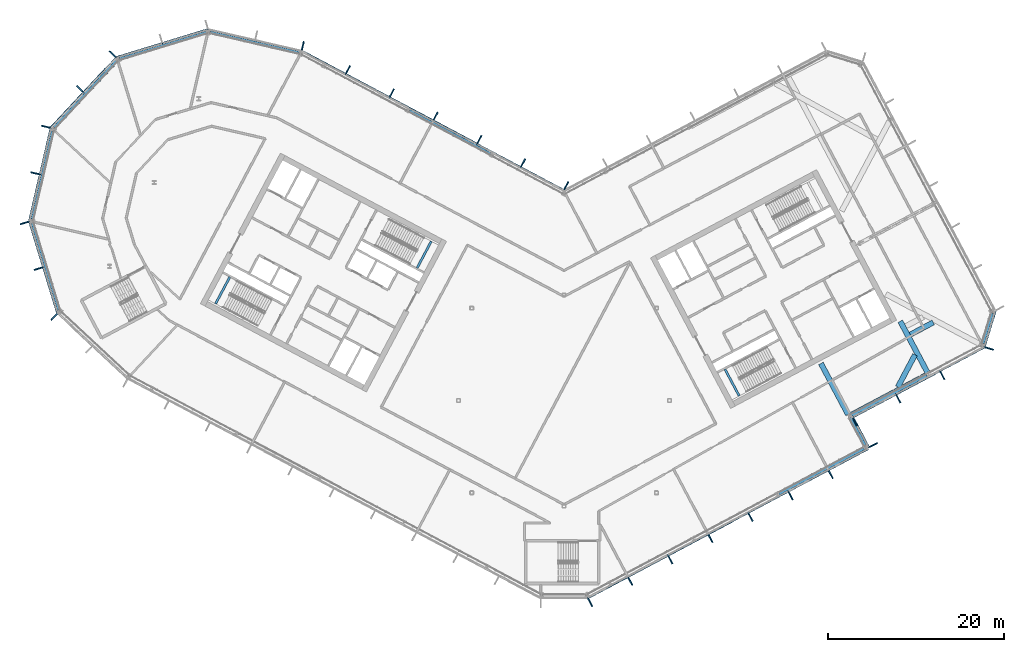
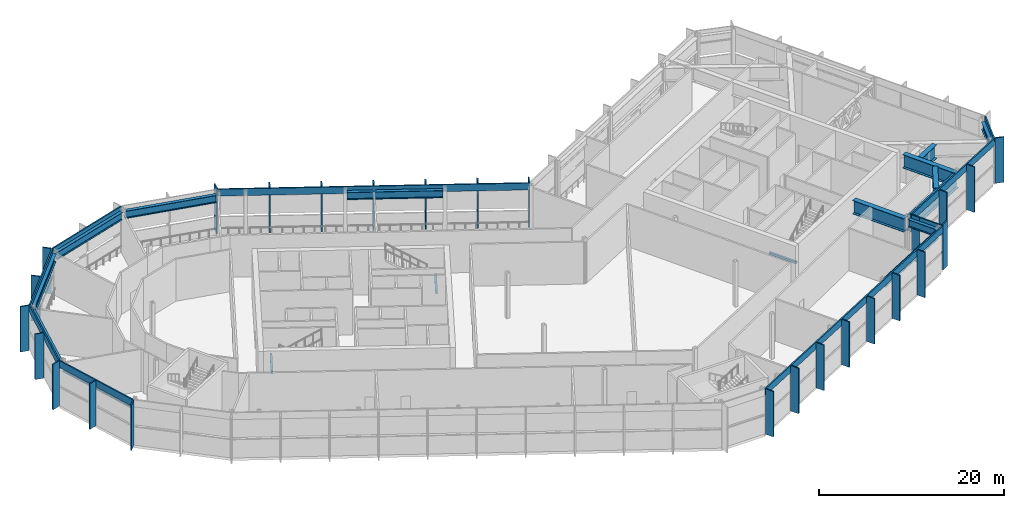
# One storey, part 9 of 33: 35 members, 17 beams, 11 elements without a shape of their own.
"""IFC4 building model written with IfcOpenShell, lengths in metres."""

from ifc_helpers import new_model, si_unit, direction, frame, origin, origin_2d, place, context, subcontext, project, spatial, rectangle, i_section, extrude, material, layer, layer_set, material_profile, profile_set, type_object, element, aggregate, save


model = new_model("IFC4")

# Units and contexts
model_context = context("Model", 3, precision=1e-05, world=origin(), true_north=direction((0.0, 1.0)))
body_context = subcontext(model_context, "Body", "Model", "MODEL_VIEW")
ifc_project = project(units=[si_unit("LENGTHUNIT", "METRE"), si_unit("AREAUNIT", "SQUARE_METRE"), si_unit("VOLUMEUNIT", "CUBIC_METRE"), si_unit("PLANEANGLEUNIT", "RADIAN"), si_unit("MASSUNIT", "GRAM", prefix="KILO")], contexts=[model_context])

# Site, building, storey
site_placement = place(None, origin())
site = spatial("IfcSite", under=ifc_project, at=site_placement, CompositionType="ELEMENT")
building_placement = place(site_placement, origin())
building = spatial("IfcBuilding", under=site, at=building_placement, Name="Cormorant Relay Tower", CompositionType="ELEMENT")
storey_placement = place(building_placement, frame((0.0, 0.0, 252.0)))
storey = spatial("IfcBuildingStorey", under=building, at=storey_placement, Name="L56", CompositionType="ELEMENT", Elevation=252.0)

# Curtain wall, members
ifc_material_1 = material(Name="Aluminium 6063-T6 anodised bronze", Category="aluminium")
ifc_layer = layer(ifc_material_1, 0.199951171875)
ifc_layer_set = layer_set([ifc_layer], Name="CW4 band louvre wall")
curtain_wall_type = type_object("IfcCurtainWallType", Name="CW4 band louvre wall", PredefinedType="NOTDEFINED", material=ifc_layer_set)
curtain_wall_1_placement = place(storey_placement, origin())
curtain_wall_1 = element("IfcCurtainWall", 1, at=curtain_wall_1_placement, inside=storey, type_object=curtain_wall_type, Name="CW4 curtain wall 2", PredefinedType="NOTDEFINED")
ifc_material_2 = material(Name="Aluminium 6063-T6 anodised bronze", Category="aluminium")
ifc_material_profile_1 = material_profile(ifc_material_2, rectangle(XDim=0.14990234375, YDim=1.0, at=origin_2d()), Name="AL 150x1000")
ifc_profile_set_1 = profile_set([ifc_material_profile_1], Name="Aluminium 6063-T6 anodised bronze")
member_type_1 = type_object("IfcMemberType", Name="CW4 bronze fin mullion 150 x 1000", PredefinedType="MULLION", material=ifc_profile_set_1)
member_1_placement = place(storey_placement, frame((2.9775390625, -22.99365234375, 0.0), z_axis=(0.0, 0.0, 1.0), x_axis=(0.882947592859, 0.469471562786, 0.0)))
member_1 = element("IfcMember", 2, at=member_1_placement, type_object=member_type_1, Name="CW4 fin 2.1", PredefinedType="MULLION", context=body_context, shape_type="SweptSolid", body=[
    extrude(rectangle(XDim=0.14990234375, YDim=1.0, at=origin_2d()), origin(), (0.0, 0.0, 1.0), 6.0),
])
member_2_placement = place(storey_placement, frame((7.539306640625, -20.568115234375, 0.0), z_axis=(0.0, 0.0, 1.0), x_axis=(0.882947592859, 0.469471562786, 0.0)))
member_2 = element("IfcMember", 3, at=member_2_placement, type_object=member_type_1, Name="CW4 fin 2.2", PredefinedType="MULLION", context=body_context, shape_type="SweptSolid", body=[
    extrude(rectangle(XDim=0.14990234375, YDim=1.0, at=origin_2d()), origin(), (0.0, 0.0, 1.0), 6.0),
])
member_3_placement = place(storey_placement, frame((12.10107421875, -18.142578125, 0.0), z_axis=(0.0, 0.0, 1.0), x_axis=(0.882947592859, 0.469471562786, 0.0)))
member_3 = element("IfcMember", 4, at=member_3_placement, type_object=member_type_1, Name="CW4 fin 2.3", PredefinedType="MULLION", context=body_context, shape_type="SweptSolid", body=[
    extrude(rectangle(XDim=0.14990234375, YDim=1.0, at=origin_2d()), origin(), (0.0, 0.0, 1.0), 6.0),
])
member_4_placement = place(storey_placement, frame((16.662841796875, -15.717041015625, 0.0), z_axis=(0.0, 0.0, 1.0), x_axis=(0.882947592859, 0.469471562786, 0.0)))
member_4 = element("IfcMember", 5, at=member_4_placement, type_object=member_type_1, Name="CW4 fin 2.4", PredefinedType="MULLION", context=body_context, shape_type="SweptSolid", body=[
    extrude(rectangle(XDim=0.14990234375, YDim=1.0, at=origin_2d()), origin(), (0.0, 0.0, 1.0), 6.0),
])
member_5_placement = place(storey_placement, frame((21.224609375, -13.29150390625, 0.0), z_axis=(0.0, 0.0, 1.0), x_axis=(0.882947592859, 0.469471562786, 0.0)))
member_5 = element("IfcMember", 6, at=member_5_placement, type_object=member_type_1, Name="CW4 fin 2.5", PredefinedType="MULLION", context=body_context, shape_type="SweptSolid", body=[
    extrude(rectangle(XDim=0.14990234375, YDim=1.0, at=origin_2d()), origin(), (0.0, 0.0, 1.0), 6.0),
])
member_6_placement = place(storey_placement, frame((25.78662109375, -10.865966796875, 0.0), z_axis=(0.0, 0.0, 1.0), x_axis=(0.882947592859, 0.469471562786, 0.0)))
member_6 = element("IfcMember", 7, at=member_6_placement, type_object=member_type_1, Name="CW4 fin 2.6", PredefinedType="MULLION", context=body_context, shape_type="SweptSolid", body=[
    extrude(rectangle(XDim=0.14990234375, YDim=1.0, at=origin_2d()), origin(), (0.0, 0.0, 1.0), 6.0),
])
member_7_placement = place(storey_placement, frame((30.348388671875, -8.440185546875, 0.0), z_axis=(0.0, 0.0, 1.0), x_axis=(0.882947592859, 0.469471562786, 0.0)))
member_7 = element("IfcMember", 8, at=member_7_placement, type_object=member_type_1, Name="CW4 fin 2.7", PredefinedType="MULLION", context=body_context, shape_type="SweptSolid", body=[
    extrude(rectangle(XDim=0.14990234375, YDim=1.0, at=origin_2d()), origin(), (0.0, 0.0, 1.0), 6.0),
])

# Curtain wall, member
curtain_wall_2_placement = place(storey_placement, origin())
curtain_wall_2 = element("IfcCurtainWall", 9, at=curtain_wall_2_placement, inside=storey, type_object=curtain_wall_type, Name="CW4 curtain wall 3", PredefinedType="NOTDEFINED")
member_8_placement = place(storey_placement, frame((35.199462890625, -5.068115234375, 0.0), z_axis=(0.0, 0.0, 1.0), x_axis=(-0.469471562786, 0.882947592859, 0.0)))
member_8 = element("IfcMember", 10, at=member_8_placement, type_object=member_type_1, Name="CW4 fin 3.1", PredefinedType="MULLION", context=body_context, shape_type="SweptSolid", body=[
    extrude(rectangle(XDim=0.14990234375, YDim=1.0, at=origin_2d()), origin(), (0.0, 0.0, 1.0), 6.0),
])

# Curtain wall, members
curtain_wall_3_placement = place(storey_placement, origin())
curtain_wall_3 = element("IfcCurtainWall", 11, at=curtain_wall_3_placement, inside=storey, type_object=curtain_wall_type, Name="CW4 curtain wall 4", PredefinedType="NOTDEFINED")
member_9_placement = place(storey_placement, frame((33.098388671875, -2.44775390625, 0.0), z_axis=(0.0, 0.0, 1.0), x_axis=(0.882947592859, 0.469471562786, 0.0)))
member_9 = element("IfcMember", 12, at=member_9_placement, type_object=member_type_1, Name="CW4 fin 4.1", PredefinedType="MULLION", context=body_context, shape_type="SweptSolid", body=[
    extrude(rectangle(XDim=0.14990234375, YDim=1.0, at=origin_2d()), origin(), (0.0, 0.0, 1.0), 6.0),
])
member_10_placement = place(storey_placement, frame((38.035400390625, 0.177490234375, 0.0), z_axis=(0.0, 0.0, 1.0), x_axis=(0.882947592859, 0.469471562786, 0.0)))
member_10 = element("IfcMember", 13, at=member_10_placement, type_object=member_type_1, Name="CW4 fin 4.2", PredefinedType="MULLION", context=body_context, shape_type="SweptSolid", body=[
    extrude(rectangle(XDim=0.14990234375, YDim=1.0, at=origin_2d()), origin(), (0.0, 0.0, 1.0), 6.0),
])
member_11_placement = place(storey_placement, frame((43.038818359375, 2.837646484375, 0.0), z_axis=(0.0, 0.0, 1.0), x_axis=(0.882947592859, 0.469471562786, 0.0)))
member_11 = element("IfcMember", 14, at=member_11_placement, type_object=member_type_1, Name="CW4 fin 4.3", PredefinedType="MULLION", context=body_context, shape_type="SweptSolid", body=[
    extrude(rectangle(XDim=0.14990234375, YDim=1.0, at=origin_2d()), origin(), (0.0, 0.0, 1.0), 6.0),
])

# Curtain wall, member
curtain_wall_4_placement = place(storey_placement, origin())
curtain_wall_4 = element("IfcCurtainWall", 15, at=curtain_wall_4_placement, inside=storey, type_object=curtain_wall_type, Name="CW4 curtain wall 5", PredefinedType="NOTDEFINED")
member_12_placement = place(storey_placement, frame((48.383056640625, 5.91162109375, 0.0), z_axis=(0.0, 0.0, 1.0), x_axis=(0.292371704723, 0.956304755963, 0.0)))
member_12 = element("IfcMember", 16, at=member_12_placement, type_object=member_type_1, Name="CW4 fin 5.1", PredefinedType="MULLION", context=body_context, shape_type="SweptSolid", body=[
    extrude(rectangle(XDim=0.14990234375, YDim=1.0, at=origin_2d()), origin(), (0.0, 0.0, 1.0), 6.0),
])

# Curtain wall, members
curtain_wall_5_placement = place(storey_placement, origin())
curtain_wall_5 = element("IfcCurtainWall", 17, at=curtain_wall_5_placement, inside=storey, type_object=curtain_wall_type, Name="CW4 curtain wall 9", PredefinedType="NOTDEFINED")
member_13_placement = place(storey_placement, frame((0.262451171875, 24.437255859375, 0.0), z_axis=(0.0, 0.0, 1.0), x_axis=(-0.882947592859, 0.469471562786, 0.0)))
member_13 = element("IfcMember", 18, at=member_13_placement, type_object=member_type_1, Name="CW4 fin 9.1", PredefinedType="MULLION", context=body_context, shape_type="SweptSolid", body=[
    extrude(rectangle(XDim=0.14990234375, YDim=1.0, at=origin_2d()), origin(), (0.0, 0.0, 1.0), 6.0),
])
member_14_placement = place(storey_placement, frame((-4.650390625, 27.04931640625, 0.0), z_axis=(0.0, 0.0, 1.0), x_axis=(-0.882947592859, 0.469471562786, 0.0)))
member_14 = element("IfcMember", 19, at=member_14_placement, type_object=member_type_1, Name="CW4 fin 9.2", PredefinedType="MULLION", context=body_context, shape_type="SweptSolid", body=[
    extrude(rectangle(XDim=0.14990234375, YDim=1.0, at=origin_2d()), origin(), (0.0, 0.0, 1.0), 6.0),
])
member_15_placement = place(storey_placement, frame((-9.62939453125, 29.69677734375, 0.0), z_axis=(0.0, 0.0, 1.0), x_axis=(-0.882947592859, 0.469471562786, 0.0)))
member_15 = element("IfcMember", 20, at=member_15_placement, type_object=member_type_1, Name="CW4 fin 9.3", PredefinedType="MULLION", context=body_context, shape_type="SweptSolid", body=[
    extrude(rectangle(XDim=0.14990234375, YDim=1.0, at=origin_2d()), origin(), (0.0, 0.0, 1.0), 6.0),
])
member_16_placement = place(storey_placement, frame((-14.608154296875, 32.343994140625, 0.0), z_axis=(0.0, 0.0, 1.0), x_axis=(-0.882947592859, 0.469471562786, 0.0)))
member_16 = element("IfcMember", 21, at=member_16_placement, type_object=member_type_1, Name="CW4 fin 9.4", PredefinedType="MULLION", context=body_context, shape_type="SweptSolid", body=[
    extrude(rectangle(XDim=0.14990234375, YDim=1.0, at=origin_2d()), origin(), (0.0, 0.0, 1.0), 6.0),
])
member_17_placement = place(storey_placement, frame((-19.587158203125, 34.991455078125, 0.0), z_axis=(0.0, 0.0, 1.0), x_axis=(-0.882947592859, 0.469471562786, 0.0)))
member_17 = element("IfcMember", 22, at=member_17_placement, type_object=member_type_1, Name="CW4 fin 9.5", PredefinedType="MULLION", context=body_context, shape_type="SweptSolid", body=[
    extrude(rectangle(XDim=0.14990234375, YDim=1.0, at=origin_2d()), origin(), (0.0, 0.0, 1.0), 6.0),
])
member_18_placement = place(storey_placement, frame((-24.566162109375, 37.638916015625, 0.0), z_axis=(0.0, 0.0, 1.0), x_axis=(-0.882947592859, 0.469471562786, 0.0)))
member_18 = element("IfcMember", 23, at=member_18_placement, type_object=member_type_1, Name="CW4 fin 9.6", PredefinedType="MULLION", context=body_context, shape_type="SweptSolid", body=[
    extrude(rectangle(XDim=0.14990234375, YDim=1.0, at=origin_2d()), origin(), (0.0, 0.0, 1.0), 6.0),
])

# Curtain wall, member
curtain_wall_6_placement = place(storey_placement, origin())
curtain_wall_6 = element("IfcCurtainWall", 24, at=curtain_wall_6_placement, inside=storey, type_object=curtain_wall_type, Name="CW4 curtain wall 10", PredefinedType="NOTDEFINED")
member_19_placement = place(storey_placement, frame((-29.71630859375, 40.35009765625, 0.0), z_axis=(0.0, 0.0, 1.0), x_axis=(-0.974370064785, 0.224951054344, 0.0)))
member_19 = element("IfcMember", 25, at=member_19_placement, type_object=member_type_1, Name="CW4 fin 10.1", PredefinedType="MULLION", context=body_context, shape_type="SweptSolid", body=[
    extrude(rectangle(XDim=0.14990234375, YDim=1.0, at=origin_2d()), origin(), (0.0, 0.0, 1.0), 6.0),
])
aggregate(curtain_wall_6, [member_19])

# Curtain wall, members
curtain_wall_7_placement = place(storey_placement, origin())
curtain_wall_7 = element("IfcCurtainWall", 26, at=curtain_wall_7_placement, inside=storey, type_object=curtain_wall_type, Name="CW4 curtain wall 12", PredefinedType="NOTDEFINED")
member_20_placement = place(storey_placement, frame((-51.372802734375, 39.41259765625, 0.0), z_axis=(0.0, 0.0, 1.0), x_axis=(-0.681998360062, -0.731353701619, 0.0)))
member_20 = element("IfcMember", 27, at=member_20_placement, type_object=member_type_1, Name="CW4 fin 12.1", PredefinedType="MULLION", context=body_context, shape_type="SweptSolid", body=[
    extrude(rectangle(XDim=0.14990234375, YDim=1.0, at=origin_2d()), origin(), (0.0, 0.0, 1.0), 6.0),
])
member_21_placement = place(storey_placement, frame((-55.07958984375, 35.4375, 0.0), z_axis=(0.0, 0.0, 1.0), x_axis=(-0.681998360062, -0.731353701619, 0.0)))
member_21 = element("IfcMember", 28, at=member_21_placement, type_object=member_type_1, Name="CW4 fin 12.2", PredefinedType="MULLION", context=body_context, shape_type="SweptSolid", body=[
    extrude(rectangle(XDim=0.14990234375, YDim=1.0, at=origin_2d()), origin(), (0.0, 0.0, 1.0), 6.0),
])

curtain_wall_8_placement = place(storey_placement, origin())
curtain_wall_8 = element("IfcCurtainWall", 29, at=curtain_wall_8_placement, inside=storey, type_object=curtain_wall_type, Name="CW4 curtain wall 13", PredefinedType="NOTDEFINED")
member_22_placement = place(storey_placement, frame((-58.95654296875, 31.142578125, 0.0), z_axis=(0.0, 0.0, 1.0), x_axis=(-0.224951054344, -0.974370064785, 0.0)))
member_22 = element("IfcMember", 30, at=member_22_placement, type_object=member_type_1, Name="CW4 fin 13.1", PredefinedType="MULLION", context=body_context, shape_type="SweptSolid", body=[
    extrude(rectangle(XDim=0.14990234375, YDim=1.0, at=origin_2d()), origin(), (0.0, 0.0, 1.0), 6.0),
])
member_23_placement = place(storey_placement, frame((-60.17919921875, 25.8466796875, 0.0), z_axis=(0.0, 0.0, 1.0), x_axis=(-0.224951054344, -0.974370064785, 0.0)))
member_23 = element("IfcMember", 31, at=member_23_placement, type_object=member_type_1, Name="CW4 fin 13.2", PredefinedType="MULLION", context=body_context, shape_type="SweptSolid", body=[
    extrude(rectangle(XDim=0.14990234375, YDim=1.0, at=origin_2d()), origin(), (0.0, 0.0, 1.0), 6.0),
])

curtain_wall_9_placement = place(storey_placement, origin())
curtain_wall_9 = element("IfcCurtainWall", 32, at=curtain_wall_9_placement, inside=storey, type_object=curtain_wall_type, Name="CW4 curtain wall 14", PredefinedType="NOTDEFINED")
member_24_placement = place(storey_placement, frame((-61.389404296875, 20.188720703125, 0.0), z_axis=(0.0, 0.0, 1.0), x_axis=(0.292371704723, -0.956304755963, 0.0)))
member_24 = element("IfcMember", 33, at=member_24_placement, type_object=member_type_1, Name="CW4 fin 14.1", PredefinedType="MULLION", context=body_context, shape_type="SweptSolid", body=[
    extrude(rectangle(XDim=0.14990234375, YDim=1.0, at=origin_2d()), origin(), (0.0, 0.0, 1.0), 6.0),
])
member_25_placement = place(storey_placement, frame((-59.80029296875, 14.990966796875, 0.0), z_axis=(0.0, 0.0, 1.0), x_axis=(0.292371704723, -0.956304755963, 0.0)))
member_25 = element("IfcMember", 34, at=member_25_placement, type_object=member_type_1, Name="CW4 fin 14.2", PredefinedType="MULLION", context=body_context, shape_type="SweptSolid", body=[
    extrude(rectangle(XDim=0.14990234375, YDim=1.0, at=origin_2d()), origin(), (0.0, 0.0, 1.0), 6.0),
])

# Curtain wall, member
curtain_wall_10_placement = place(storey_placement, origin())
curtain_wall_10 = element("IfcCurtainWall", 35, at=curtain_wall_10_placement, inside=storey, type_object=curtain_wall_type, Name="CW4 curtain wall 15", PredefinedType="NOTDEFINED")
member_26_placement = place(storey_placement, frame((-58.01904296875, 9.486083984375, 0.0), z_axis=(0.0, 0.0, 1.0), x_axis=(0.731353701619, -0.681998360062, 0.0)))
member_26 = element("IfcMember", 36, at=member_26_placement, type_object=member_type_1, Name="CW4 fin 15.1", PredefinedType="MULLION", context=body_context, shape_type="SweptSolid", body=[
    extrude(rectangle(XDim=0.14990234375, YDim=1.0, at=origin_2d()), origin(), (0.0, 0.0, 1.0), 6.0),
])
aggregate(curtain_wall_10, [member_26])

# Member
ifc_material_3 = material(Name="Aluminium 6063-T6 anodised bronze", Category="aluminium")
ifc_material_profile_2 = material_profile(ifc_material_3, rectangle(XDim=0.159912109375, YDim=0.89990234375, at=origin_2d()), Name="AL 160x900")
ifc_profile_set_2 = profile_set([ifc_material_profile_2], Name="Aluminium 6063-T6 anodised bronze")
member_type_2 = type_object("IfcMemberType", Name="CW4 bronze transom 160 x 900", PredefinedType="USERDEFINED", material=ifc_profile_set_2)
member_27_placement = place(storey_placement, frame((2.705078125, -22.4814453125, 5.550048828125), z_axis=(0.882948899141, 0.469469106018, 0.0), x_axis=(-0.469469106018, 0.882948899141, 0.0)))
member_27 = element("IfcMember", 37, at=member_27_placement, type_object=member_type_2, Name="CW4 transom 2", ObjectType="TRANSOM", PredefinedType="USERDEFINED", context=body_context, shape_type="SweptSolid", body=[
    extrude(rectangle(XDim=0.159912109375, YDim=0.89990234375, at=origin_2d()), origin(), (0.0, 0.0, 1.0), 36.165771484375),
])

aggregate(curtain_wall_1, [member_1, member_2, member_3, member_4, member_5, member_6, member_7, member_27])

member_28_placement = place(storey_placement, frame((34.6875, -5.34033203125, 5.550048828125), z_axis=(-0.469485426614, 0.882940221191, 0.0), x_axis=(-0.882940221191, -0.469485426614, 0.0)))
member_28 = element("IfcMember", 38, at=member_28_placement, type_object=member_type_2, Name="CW4 transom 3", ObjectType="TRANSOM", PredefinedType="USERDEFINED", context=body_context, shape_type="SweptSolid", body=[
    extrude(rectangle(XDim=0.159912109375, YDim=0.89990234375, at=origin_2d()), origin(), (0.0, 0.0, 1.0), 4.0),
])

aggregate(curtain_wall_2, [member_8, member_28])

member_29_placement = place(storey_placement, frame((32.760009765625, -1.970947265625, 5.550048828125), z_axis=(0.882941803911, 0.469482450052, 0.0), x_axis=(-0.469482450052, 0.882941803911, 0.0)))
member_29 = element("IfcMember", 39, at=member_29_placement, type_object=member_type_2, Name="CW4 transom 4", ObjectType="TRANSOM", PredefinedType="USERDEFINED", context=body_context, shape_type="SweptSolid", body=[
    extrude(rectangle(XDim=0.159912109375, YDim=0.89990234375, at=origin_2d()), origin(), (0.0, 0.0, 1.0), 17.0),
])

aggregate(curtain_wall_3, [member_9, member_10, member_11, member_29])

member_30_placement = place(storey_placement, frame((47.828369140625, 6.0810546875, 5.550048828125), z_axis=(0.292391046905, 0.95629884225, 0.0), x_axis=(-0.95629884225, 0.292391046905, 0.0)))
member_30 = element("IfcMember", 40, at=member_30_placement, type_object=member_type_2, Name="CW4 transom 5", ObjectType="TRANSOM", PredefinedType="USERDEFINED", context=body_context, shape_type="SweptSolid", body=[
    extrude(rectangle(XDim=0.159912109375, YDim=0.89990234375, at=origin_2d()), origin(), (0.0, 0.0, 1.0), 4.242431640625),
])

aggregate(curtain_wall_4, [member_12, member_30])

member_31_placement = place(storey_placement, frame((0.056396484375, 23.889892578125, 5.550048828125), z_axis=(-0.882946280328, 0.46947403129, 0.0), x_axis=(-0.46947403129, -0.882946280328, 0.0)))
member_31 = element("IfcMember", 41, at=member_31_placement, type_object=member_type_2, Name="CW4 transom 9", ObjectType="TRANSOM", PredefinedType="USERDEFINED", context=body_context, shape_type="SweptSolid", body=[
    extrude(rectangle(XDim=0.159912109375, YDim=0.89990234375, at=origin_2d()), origin(), (0.0, 0.0, 1.0), 33.834228515625),
])

aggregate(curtain_wall_5, [member_13, member_14, member_15, member_16, member_17, member_18, member_31])

# Curtain wall, member
curtain_wall_11_placement = place(storey_placement, origin())
curtain_wall_11 = element("IfcCurtainWall", 42, at=curtain_wall_11_placement, inside=storey, type_object=curtain_wall_type, Name="CW4 curtain wall 11", PredefinedType="NOTDEFINED")
member_32_placement = place(storey_placement, frame((-40.50048828125, 42.228271484375, 5.550048828125), z_axis=(-0.956304833932, -0.292371449698, 0.0), x_axis=(0.292371449698, -0.956304833932, 0.0)))
member_32 = element("IfcMember", 43, at=member_32_placement, type_object=member_type_2, Name="CW4 transom 11", ObjectType="TRANSOM", PredefinedType="USERDEFINED", context=body_context, shape_type="SweptSolid", body=[
    extrude(rectangle(XDim=0.159912109375, YDim=0.89990234375, at=origin_2d()), origin(), (0.0, 0.0, 1.0), 10.87060546875),
])
aggregate(curtain_wall_11, [member_32])

# Member
member_33_placement = place(storey_placement, frame((-50.94873046875, 39.01708984375, 5.550048828125), z_axis=(-0.681993299437, -0.731358420696, 0.0), x_axis=(0.731358420696, -0.681993299437, 0.0)))
member_33 = element("IfcMember", 44, at=member_33_placement, type_object=member_type_2, Name="CW4 transom 12", ObjectType="TRANSOM", PredefinedType="USERDEFINED", context=body_context, shape_type="SweptSolid", body=[
    extrude(rectangle(XDim=0.159912109375, YDim=0.89990234375, at=origin_2d()), origin(), (0.0, 0.0, 1.0), 10.870361328125),
])

aggregate(curtain_wall_7, [member_20, member_21, member_33])

member_34_placement = place(storey_placement, frame((-58.3916015625, 31.01220703125, 5.550048828125), z_axis=(-0.22495136131, -0.974369993916, 0.0), x_axis=(0.974369993916, -0.22495136131, 0.0)))
member_34 = element("IfcMember", 45, at=member_34_placement, type_object=member_type_2, Name="CW4 transom 13", ObjectType="TRANSOM", PredefinedType="USERDEFINED", context=body_context, shape_type="SweptSolid", body=[
    extrude(rectangle(XDim=0.159912109375, YDim=0.89990234375, at=origin_2d()), origin(), (0.0, 0.0, 1.0), 10.870361328125),
])

aggregate(curtain_wall_8, [member_22, member_23, member_34])

member_35_placement = place(storey_placement, frame((-60.834716796875, 20.358154296875, 5.550048828125), z_axis=(0.292377729282, -0.95630291405, 0.0), x_axis=(0.95630291405, 0.292377729282, 0.0)))
member_35 = element("IfcMember", 46, at=member_35_placement, type_object=member_type_2, Name="CW4 transom 14", ObjectType="TRANSOM", PredefinedType="USERDEFINED", context=body_context, shape_type="SweptSolid", body=[
    extrude(rectangle(XDim=0.159912109375, YDim=0.89990234375, at=origin_2d()), origin(), (0.0, 0.0, 1.0), 10.870361328125),
])

aggregate(curtain_wall_9, [member_24, member_25, member_35])

# Beams
ifc_material_4 = material(Name="Steel ASTM A992 (Fy 345 MPa)", Category="steel")
ifc_material_profile_3 = material_profile(ifc_material_4, i_section(OverallWidth=0.4013671875, OverallDepth=0.990478515625, WebThickness=0.0166015625, FlangeThickness=0.031005859375, FilletRadius=0.030029296875, at=origin_2d()), Name="W1000x320")
ifc_profile_set_3 = profile_set([ifc_material_profile_3], Name="Steel ASTM A992 (Fy 345 MPa)")
beam_type_1 = type_object("IfcBeamType", Name="Spandrel W1000x320", PredefinedType="SPANDREL", material=ifc_profile_set_3)
beam_1_placement = place(storey_placement, frame((24.423583984375, -10.5703125, 5.0546875), z_axis=(0.882952735253, 0.469461891221, 0.0), x_axis=(-0.469461891221, 0.882952735253, 0.0)))
element("IfcBeam", 47, at=beam_1_placement, inside=storey, type_object=beam_type_1, Name="Spandrel beam L56-002", PredefinedType="SPANDREL", context=body_context, shape_type="SweptSolid", body=[
    extrude(i_section(OverallWidth=0.4013671875, OverallDepth=0.990478515625, WebThickness=0.0166015625, FlangeThickness=0.031005859375, FilletRadius=0.030029296875, at=origin_2d()), origin(), (0.0, 0.0, 1.0), 10.96142578125),
])
beam_2_placement = place(storey_placement, frame((34.20458984375, -5.115478515625, 5.0546875), z_axis=(-0.469423552529, 0.882973118691, 0.0), x_axis=(-0.882973118691, -0.469423552529, 0.0)))
element("IfcBeam", 48, at=beam_2_placement, inside=storey, type_object=beam_type_1, Name="Spandrel beam L56-003", PredefinedType="SPANDREL", context=body_context, shape_type="SweptSolid", body=[
    extrude(i_section(OverallWidth=0.4013671875, OverallDepth=0.990478515625, WebThickness=0.0166015625, FlangeThickness=0.031005859375, FilletRadius=0.030029296875, at=origin_2d()), origin(), (0.0, 0.0, 1.0), 3.56982421875),
])
beam_3_placement = place(storey_placement, frame((47.618896484375, 6.4921875, 5.0546875), z_axis=(0.292349563537, 0.956311524923, 0.0), x_axis=(-0.956311524923, 0.292349563537, 0.0)))
element("IfcBeam", 49, at=beam_3_placement, inside=storey, type_object=beam_type_1, Name="Spandrel beam L56-004", PredefinedType="SPANDREL", context=body_context, shape_type="SweptSolid", body=[
    extrude(i_section(OverallWidth=0.4013671875, OverallDepth=0.990478515625, WebThickness=0.0166015625, FlangeThickness=0.031005859375, FilletRadius=0.030029296875, at=origin_2d()), origin(), (0.0, 0.0, 1.0), 3.59765625),
])
beam_4_placement = place(storey_placement, frame((-8.426025390625, 28.036865234375, 5.0546875), z_axis=(-0.882949648898, 0.469467695918, 0.0), x_axis=(-0.469467695918, -0.882949648898, 0.0)))
element("IfcBeam", 50, at=beam_4_placement, inside=storey, type_object=beam_type_1, Name="Spandrel beam L56-008", PredefinedType="SPANDREL", context=body_context, shape_type="SweptSolid", body=[
    extrude(i_section(OverallWidth=0.4013671875, OverallDepth=0.990478515625, WebThickness=0.0166015625, FlangeThickness=0.031005859375, FilletRadius=0.030029296875, at=origin_2d()), origin(), (0.0, 0.0, 1.0), 10.39599609375),
])
beam_5_placement = place(storey_placement, frame((-30.1533203125, 39.526611328125, 5.0546875), z_axis=(-0.97436619016, 0.22496783653, 0.0), x_axis=(-0.22496783653, -0.97436619016, 0.0)))
element("IfcBeam", 51, at=beam_5_placement, inside=storey, type_object=beam_type_1, Name="Spandrel beam L56-009", PredefinedType="SPANDREL", context=body_context, shape_type="SweptSolid", body=[
    extrude(i_section(OverallWidth=0.4013671875, OverallDepth=0.990478515625, WebThickness=0.0166015625, FlangeThickness=0.031005859375, FilletRadius=0.030029296875, at=origin_2d()), origin(), (0.0, 0.0, 1.0), 10.369384765625),
])
beam_6_placement = place(storey_placement, frame((-40.680419921875, 41.837890625, 5.0546875), z_axis=(-0.956303094801, -0.292377138084, 0.0), x_axis=(0.292377138084, -0.956303094801, 0.0)))
element("IfcBeam", 52, at=beam_6_placement, inside=storey, type_object=beam_type_1, Name="Spandrel beam L56-010", PredefinedType="SPANDREL", context=body_context, shape_type="SweptSolid", body=[
    extrude(i_section(OverallWidth=0.4013671875, OverallDepth=0.990478515625, WebThickness=0.0166015625, FlangeThickness=0.031005859375, FilletRadius=0.030029296875, at=origin_2d()), origin(), (0.0, 0.0, 1.0), 10.32421875),
])
beam_7_placement = place(storey_placement, frame((-50.90966796875, 38.5888671875, 5.0546875), z_axis=(-0.681996285296, -0.731355636365, 0.0), x_axis=(0.731355636365, -0.681996285296, 0.0)))
element("IfcBeam", 53, at=beam_7_placement, inside=storey, type_object=beam_type_1, Name="Spandrel beam L56-011", PredefinedType="SPANDREL", context=body_context, shape_type="SweptSolid", body=[
    extrude(i_section(OverallWidth=0.4013671875, OverallDepth=0.990478515625, WebThickness=0.0166015625, FlangeThickness=0.031005859375, FilletRadius=0.030029296875, at=origin_2d()), origin(), (0.0, 0.0, 1.0), 10.32275390625),
])
beam_8_placement = place(storey_placement, frame((-58.143310546875, 30.66162109375, 5.0546875), z_axis=(-0.224957947919, -0.974368473252, 0.0), x_axis=(0.974368473252, -0.224957947919, 0.0)))
element("IfcBeam", 54, at=beam_8_placement, inside=storey, type_object=beam_type_1, Name="Spandrel beam L56-012", PredefinedType="SPANDREL", context=body_context, shape_type="SweptSolid", body=[
    extrude(i_section(OverallWidth=0.4013671875, OverallDepth=0.990478515625, WebThickness=0.0166015625, FlangeThickness=0.031005859375, FilletRadius=0.030029296875, at=origin_2d()), origin(), (0.0, 0.0, 1.0), 10.32421875),
])
beam_9_placement = place(storey_placement, frame((-60.4443359375, 20.178466796875, 5.0546875), z_axis=(0.29236873538, -0.956305663777, 0.0), x_axis=(0.956305663777, 0.29236873538, 0.0)))
element("IfcBeam", 55, at=beam_9_placement, inside=storey, type_object=beam_type_1, Name="Spandrel beam L56-013", PredefinedType="SPANDREL", context=body_context, shape_type="SweptSolid", body=[
    extrude(i_section(OverallWidth=0.4013671875, OverallDepth=0.990478515625, WebThickness=0.0166015625, FlangeThickness=0.031005859375, FilletRadius=0.030029296875, at=origin_2d()), origin(), (0.0, 0.0, 1.0), 10.32373046875),
])
ifc_material_5 = material(Name="Concrete 50 MPa", Category="concrete")
ifc_material_profile_4 = material_profile(ifc_material_5, rectangle(XDim=0.25, YDim=0.300048828125, at=origin_2d()), Name="RC 250x300")
ifc_profile_set_4 = profile_set([ifc_material_profile_4], Name="Concrete 50 MPa")
beam_type_2 = type_object("IfcBeamType", Name="Stair landing ledge beam 250x300", PredefinedType="BEAM", material=ifc_profile_set_4)
for number, where, z_axis, x_axis, name in (
    (56, (-16.720458984375, 15.06298828125, 2.64990234375), (0.469463917486, 0.882951657895, 0.0), (-0.882951657895, 0.469463917486, 0.0), "A1 landing ledge beam"),
    (57, (-38.022216796875, 14.044189453125, 2.64990234375), (-0.469463917486, -0.882951657895, 0.0), (0.882951657895, -0.469463917486, 0.0), "A2 landing ledge beam"),
    (58, (18.305908203125, 3.56103515625, 2.64990234375), (0.469519084434, -0.88292232351, 0.0), (0.88292232351, 0.469519084434, 0.0), "B1 landing ledge beam"),
):
    element("IfcBeam", number, at=place(storey_placement, frame(where, z_axis=z_axis, x_axis=x_axis)), inside=storey, type_object=beam_type_2, Name=name, PredefinedType="BEAM", context=body_context, shape_type="SweptSolid", body=[
        extrude(rectangle(XDim=0.25, YDim=0.300048828125, at=origin_2d()), origin(), (0.0, 0.0, 1.0), 3.449951171875),
    ])
ifc_material_6 = material(Name="Steel ASTM A572 Grade 50 (Fy 345 MPa)", Category="steel")
ifc_material_profile_5 = material_profile(ifc_material_6, i_section(OverallWidth=0.60009765625, OverallDepth=1.800048828125, WebThickness=0.02490234375, FlangeThickness=0.050048828125, at=origin_2d()), Name="PG1800x600")
ifc_profile_set_5 = profile_set([ifc_material_profile_5], Name="Steel ASTM A572 Grade 50 (Fy 345 MPa)")
beam_type_3 = type_object("IfcBeamType", Name="Transfer girder PG1800x600", PredefinedType="BEAM", material=ifc_profile_set_5)
beam_10_placement = place(storey_placement, frame((32.30859375, -1.5888671875, 4.64990234375), z_axis=(-0.469484801901, 0.882940553369, 0.0), x_axis=(-0.882940553369, -0.469484801901, 0.0)))
element("IfcBeam", 59, at=beam_10_placement, inside=storey, type_object=beam_type_3, Name="Transfer girder L56-03", PredefinedType="BEAM", context=body_context, shape_type="SweptSolid", body=[
    extrude(i_section(OverallWidth=0.60009765625, OverallDepth=1.800048828125, WebThickness=0.02490234375, FlangeThickness=0.050048828125, at=origin_2d()), origin(), (0.0, 0.0, 1.0), 6.571044921875),
])
beam_11_placement = place(storey_placement, frame((32.5986328125, -1.680419921875, 4.64990234375), z_axis=(0.88304961142, 0.469279643464, 0.0), x_axis=(-0.469279643464, 0.88304961142, 0.0)))
element("IfcBeam", 60, at=beam_11_placement, inside=storey, type_object=beam_type_3, Name="Transfer girder L56-05", PredefinedType="BEAM", context=body_context, shape_type="SweptSolid", body=[
    extrude(i_section(OverallWidth=0.60009765625, OverallDepth=1.800048828125, WebThickness=0.02490234375, FlangeThickness=0.050048828125, at=origin_2d()), origin(), (0.0, 0.0, 1.0), 9.803466796875),
])
beam_12_placement = place(storey_placement, frame((41.338623046875, 3.1943359375, 4.64990234375), z_axis=(-0.469460522346, 0.882953463076, 0.0), x_axis=(-0.882953463076, -0.469460522346, 0.0)))
element("IfcBeam", 61, at=beam_12_placement, inside=storey, type_object=beam_type_3, Name="Transfer girder L56-08", PredefinedType="BEAM", context=body_context, shape_type="SweptSolid", body=[
    extrude(i_section(OverallWidth=0.60009765625, OverallDepth=1.800048828125, WebThickness=0.02490234375, FlangeThickness=0.050048828125, at=origin_2d()), origin(), (0.0, 0.0, 1.0), 6.5869140625),
])
beam_13_placement = place(storey_placement, frame((39.923828125, 5.19482421875, 4.64990234375), z_axis=(-0.469477482977, -0.882944445012, 0.0), x_axis=(0.882944445012, -0.469477482977, 0.0)))
element("IfcBeam", 62, at=beam_13_placement, inside=storey, type_object=beam_type_3, Name="Transfer girder L56-09", PredefinedType="BEAM", context=body_context, shape_type="SweptSolid", body=[
    extrude(i_section(OverallWidth=0.60009765625, OverallDepth=1.800048828125, WebThickness=0.02490234375, FlangeThickness=0.050048828125, at=origin_2d()), origin(), (0.0, 0.0, 1.0), 4.154052734375),
])
beam_14_placement = place(storey_placement, frame((39.4013671875, 7.498046875, 4.64990234375), z_axis=(0.882938294179, 0.469489050642, 0.0), x_axis=(-0.469489050642, 0.882938294179, 0.0)))
element("IfcBeam", 63, at=beam_14_placement, inside=storey, type_object=beam_type_3, Name="Transfer girder L56-10", PredefinedType="BEAM", context=body_context, shape_type="SweptSolid", body=[
    extrude(i_section(OverallWidth=0.60009765625, OverallDepth=1.800048828125, WebThickness=0.02490234375, FlangeThickness=0.050048828125, at=origin_2d()), origin(), (0.0, 0.0, 1.0), 2.940673828125),
])

save(model, "model.ifc")
